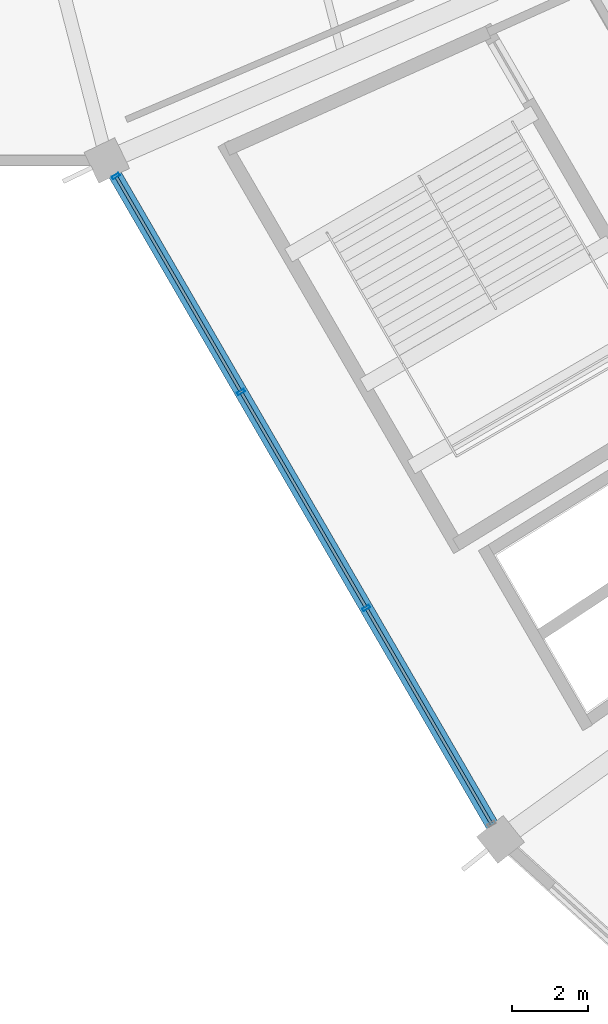
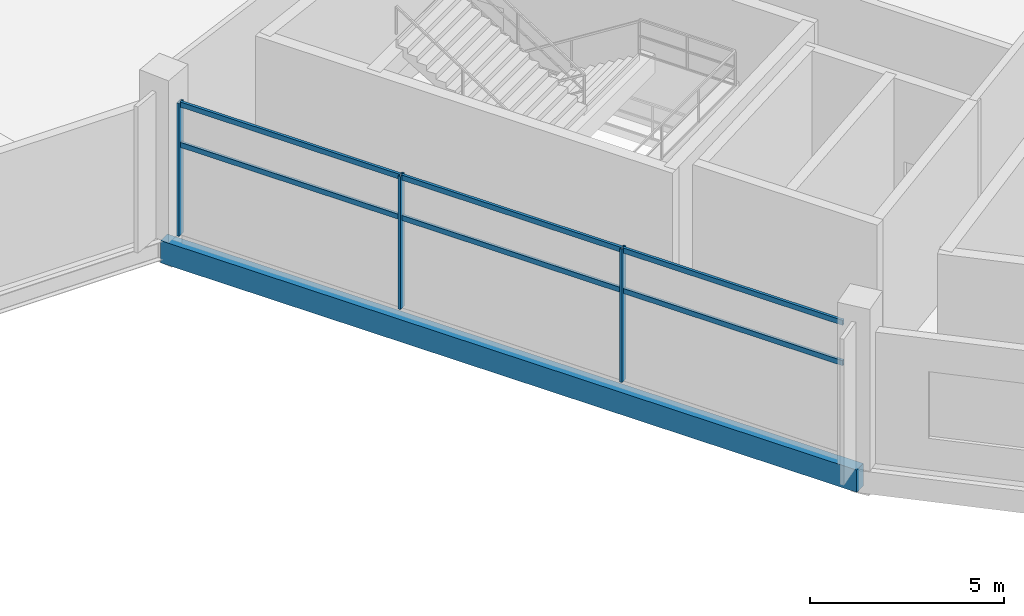
# One storey, part 6 of 184: 9 members, 1 beam, 1 element without a shape of its own.
"""IFC4 building model written with IfcOpenShell, lengths in metres."""

from ifc_helpers import new_model, si_unit, direction, frame, origin, origin_2d, place, context, subcontext, project, spatial, rectangle, hollow_rectangle, extrude, material, layer, layer_set, material_profile, profile_set, type_object, element, aggregate, save


model = new_model("IFC4")

# Units and contexts
model_context = context("Model", 3, precision=1e-05, world=origin(), true_north=direction((0.0, 1.0)))
body_context = subcontext(model_context, "Body", "Model", "MODEL_VIEW")
ifc_project = project(units=[si_unit("LENGTHUNIT", "METRE"), si_unit("AREAUNIT", "SQUARE_METRE"), si_unit("VOLUMEUNIT", "CUBIC_METRE"), si_unit("PLANEANGLEUNIT", "RADIAN"), si_unit("MASSUNIT", "GRAM", prefix="KILO")], contexts=[model_context])

# Site, building, storey
site_placement = place(None, origin())
site = spatial("IfcSite", under=ifc_project, at=site_placement, CompositionType="ELEMENT")
building_placement = place(site_placement, origin())
building = spatial("IfcBuilding", under=site, at=building_placement, Name="Kazemori Nagisa Stadium", CompositionType="ELEMENT")
storey_placement = place(building_placement, frame((0.0, 0.0, 10.5400390625)))
storey = spatial("IfcBuildingStorey", under=building, at=storey_placement, Name="L02", CompositionType="ELEMENT", Elevation=10.5400390625)

# Beam
ifc_material_1 = material(Name="Concrete C40/50 (Fc42)", Category="concrete")
ifc_material_profile_1 = material_profile(ifc_material_1, rectangle(XDim=0.35009765625, YDim=0.699951171875, at=origin_2d()), Name="RC-SP-350x700")
ifc_profile_set_1 = profile_set([ifc_material_profile_1], Name="Concrete C40/50 (Fc42)")
beam_type = type_object("IfcBeamType", Name="Beam_BS-RC350X700", PredefinedType="SPANDREL", material=ifc_profile_set_1)
beam_placement = place(storey_placement, frame((34.114990234375, 63.25048828125, -0.610107421875), z_axis=(0.50161277459, -0.8650922635, 0.0), x_axis=(0.8650922635, 0.50161277459, 0.0)))
element("IfcBeam", 1, at=beam_placement, inside=storey, type_object=beam_type, Name="Ring girder BS-RC350X700 L02 R3-17", PredefinedType="SPANDREL", context=body_context, shape_type="SweptSolid", body=[
    extrude(rectangle(XDim=0.35009765625, YDim=0.699951171875, at=origin_2d()), origin(), (0.0, 0.0, 1.0), 20.71240234375),
])

# Curtain wall, members
ifc_material_2 = material(Name="Anodised aluminium 6063-T5", Category="aluminium")
ifc_layer = layer(ifc_material_2, 0.2099609375, Name="Anodised aluminium 6063-T5", Category="aluminium")
ifc_layer_set = layer_set([ifc_layer], Name="Anodised aluminium 6063-T5")
curtain_wall_type = type_object("IfcCurtainWallType", Name="CW_L02R3_99", PredefinedType="USERDEFINED", material=ifc_layer_set)
curtain_wall_placement = place(storey_placement, origin())
curtain_wall = element("IfcCurtainWall", 2, at=curtain_wall_placement, inside=storey, type_object=curtain_wall_type, Name="Unitised curtain wall CW-L02R3-99 L02", ObjectType="UNITISED CURTAIN WALL", PredefinedType="USERDEFINED")
ifc_material_3 = material(Name="Aluminium 6063-T5 anodised", Category="aluminium")
ifc_material_profile_2 = material_profile(ifc_material_3, hollow_rectangle(XDim=0.080078125, YDim=0.2099609375, WallThickness=0.0048828125, at=origin_2d()), Name="ALU-MULL-80x210x5")
ifc_profile_set_2 = profile_set([ifc_material_profile_2], Name="Aluminium 6063-T5 anodised")
member_type_1 = type_object("IfcMemberType", Name="Mullion_M02", PredefinedType="MULLION", material=ifc_profile_set_2)
member_1_placement = place(storey_placement, frame((34.353271484375, 62.839599609375, 0.0), z_axis=(0.0, 0.0, 1.0), x_axis=(0.501611590054, -0.865092950337, 0.0)))
member_1 = element("IfcMember", 3, at=member_1_placement, type_object=member_type_1, Name="Curtain wall mullion CW-L02R3-99-M1", PredefinedType="MULLION", context=body_context, shape_type="SweptSolid", body=[
    extrude(hollow_rectangle(XDim=0.080078125, YDim=0.2099609375, WallThickness=0.0048828125, at=origin_2d()), origin(), (0.0, 0.0, 1.0), 4.18994140625),
])
member_2_placement = place(storey_placement, frame((37.65771484375, 57.140869140625, 0.0), z_axis=(0.0, 0.0, 1.0), x_axis=(0.501611590054, -0.865092950337, 0.0)))
member_2 = element("IfcMember", 4, at=member_2_placement, type_object=member_type_1, Name="Curtain wall mullion CW-L02R3-99-M2", PredefinedType="MULLION", context=body_context, shape_type="SweptSolid", body=[
    extrude(hollow_rectangle(XDim=0.080078125, YDim=0.2099609375, WallThickness=0.0048828125, at=origin_2d()), origin(), (0.0, 0.0, 1.0), 4.18994140625),
])
member_3_placement = place(storey_placement, frame((40.9619140625, 51.442138671875, 0.0), z_axis=(0.0, 0.0, 1.0), x_axis=(0.501611590054, -0.865092950337, 0.0)))
member_3 = element("IfcMember", 5, at=member_3_placement, type_object=member_type_1, Name="Curtain wall mullion CW-L02R3-99-M3", PredefinedType="MULLION", context=body_context, shape_type="SweptSolid", body=[
    extrude(hollow_rectangle(XDim=0.080078125, YDim=0.2099609375, WallThickness=0.0048828125, at=origin_2d()), origin(), (0.0, 0.0, 1.0), 4.18994140625),
])
ifc_material_profile_3 = material_profile(ifc_material_3, hollow_rectangle(XDim=0.080078125, YDim=0.159912109375, WallThickness=0.00390625, at=origin_2d()), Name="ALU-TRAN-80x160x4")
ifc_profile_set_3 = profile_set([ifc_material_profile_3], Name="Aluminium 6063-T5 anodised")
member_type_2 = type_object("IfcMemberType", Name="Transom_T02", PredefinedType="USERDEFINED", material=ifc_profile_set_3)
member_4_placement = place(storey_placement, frame((34.36328125, 62.822265625, 2.84912109375), z_axis=(0.501634382126, -0.865079734284, 0.0), x_axis=(0.865079734284, 0.501634382126, 0.0)))
member_4 = element("IfcMember", 6, at=member_4_placement, type_object=member_type_2, Name="Curtain wall transom CW-L02R3-99-T1-mid", ObjectType="TRANSOM", PredefinedType="USERDEFINED", context=body_context, shape_type="SweptSolid", body=[
    extrude(hollow_rectangle(XDim=0.080078125, YDim=0.159912109375, WallThickness=0.00390625, at=origin_2d()), origin(), (0.0, 0.0, 1.0), 6.54736328125),
])
member_5_placement = place(storey_placement, frame((34.36328125, 62.822265625, 4.119873046875), z_axis=(0.501634382126, -0.865079734284, 0.0), x_axis=(0.865079734284, 0.501634382126, 0.0)))
member_5 = element("IfcMember", 7, at=member_5_placement, type_object=member_type_2, Name="Curtain wall transom CW-L02R3-99-T1-head", ObjectType="TRANSOM", PredefinedType="USERDEFINED", context=body_context, shape_type="SweptSolid", body=[
    extrude(hollow_rectangle(XDim=0.080078125, YDim=0.159912109375, WallThickness=0.00390625, at=origin_2d()), origin(), (0.0, 0.0, 1.0), 6.54736328125),
])
member_6_placement = place(storey_placement, frame((37.667724609375, 57.12353515625, 2.84912109375), z_axis=(0.501590295943, -0.865105297069, 0.0), x_axis=(0.865105297069, 0.501590295943, 0.0)))
member_6 = element("IfcMember", 8, at=member_6_placement, type_object=member_type_2, Name="Curtain wall transom CW-L02R3-99-T2-mid", ObjectType="TRANSOM", PredefinedType="USERDEFINED", context=body_context, shape_type="SweptSolid", body=[
    extrude(hollow_rectangle(XDim=0.080078125, YDim=0.159912109375, WallThickness=0.00390625, at=origin_2d()), origin(), (0.0, 0.0, 1.0), 6.547607421875),
])
member_7_placement = place(storey_placement, frame((37.667724609375, 57.12353515625, 4.119873046875), z_axis=(0.501590295943, -0.865105297069, 0.0), x_axis=(0.865105297069, 0.501590295943, 0.0)))
member_7 = element("IfcMember", 9, at=member_7_placement, type_object=member_type_2, Name="Curtain wall transom CW-L02R3-99-T2-head", ObjectType="TRANSOM", PredefinedType="USERDEFINED", context=body_context, shape_type="SweptSolid", body=[
    extrude(hollow_rectangle(XDim=0.080078125, YDim=0.159912109375, WallThickness=0.00390625, at=origin_2d()), origin(), (0.0, 0.0, 1.0), 6.547607421875),
])
member_8_placement = place(storey_placement, frame((40.97216796875, 51.4248046875, 2.84912109375), z_axis=(0.501590295943, -0.865105297069, 0.0), x_axis=(0.865105297069, 0.501590295943, 0.0)))
member_8 = element("IfcMember", 10, at=member_8_placement, type_object=member_type_2, Name="Curtain wall transom CW-L02R3-99-T3-mid", ObjectType="TRANSOM", PredefinedType="USERDEFINED", context=body_context, shape_type="SweptSolid", body=[
    extrude(hollow_rectangle(XDim=0.080078125, YDim=0.159912109375, WallThickness=0.00390625, at=origin_2d()), origin(), (0.0, 0.0, 1.0), 6.547607421875),
])
member_9_placement = place(storey_placement, frame((40.97216796875, 51.4248046875, 4.119873046875), z_axis=(0.501590295943, -0.865105297069, 0.0), x_axis=(0.865105297069, 0.501590295943, 0.0)))
member_9 = element("IfcMember", 11, at=member_9_placement, type_object=member_type_2, Name="Curtain wall transom CW-L02R3-99-T3-head", ObjectType="TRANSOM", PredefinedType="USERDEFINED", context=body_context, shape_type="SweptSolid", body=[
    extrude(hollow_rectangle(XDim=0.080078125, YDim=0.159912109375, WallThickness=0.00390625, at=origin_2d()), origin(), (0.0, 0.0, 1.0), 6.547607421875),
])
aggregate(curtain_wall, [member_1, member_2, member_3, member_4, member_5, member_6, member_7, member_8, member_9])

save(model, "model.ifc")
